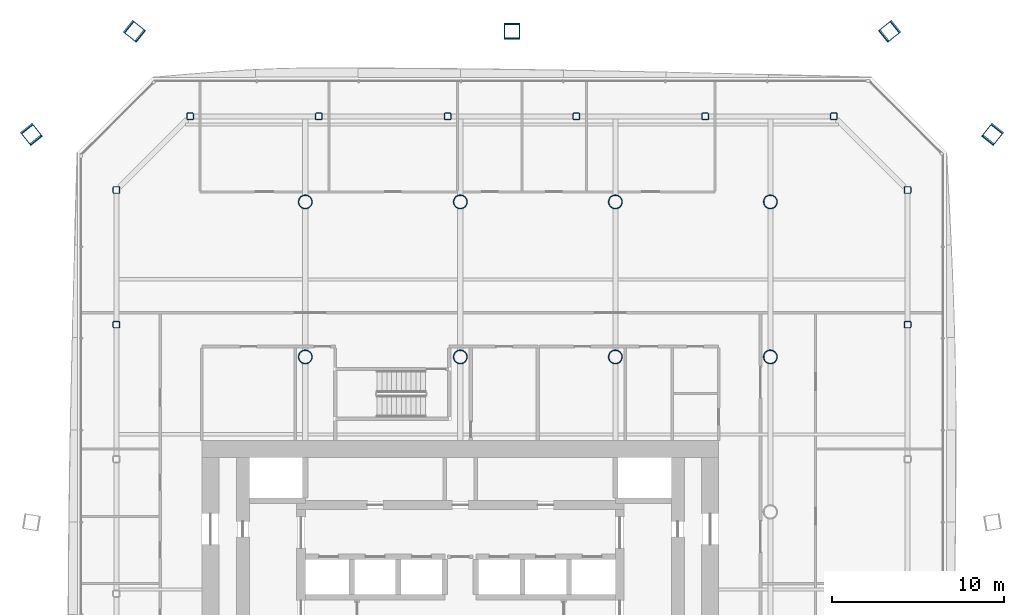
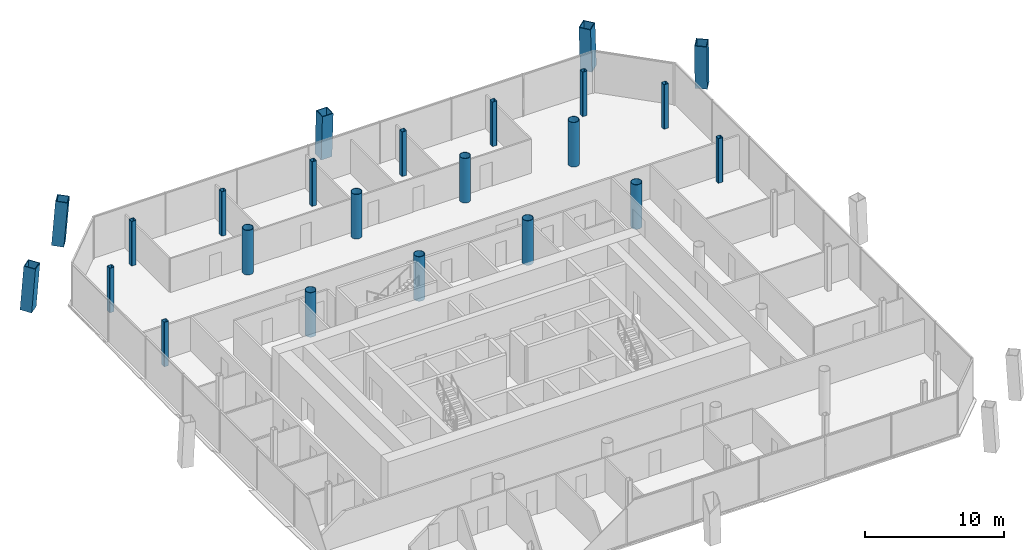
# One storey, part 2 of 19: 23 columns.
"""IFC4 building model written with IfcOpenShell, lengths in metres."""

from ifc_helpers import new_model, si_unit, direction, frame, origin, origin_2d, place, context, subcontext, project, spatial, hollow_rectangle, hollow_circle, extrude, material, material_profile, profile_set, type_object, element, save


model = new_model("IFC4")

# Units and contexts
model_context = context("Model", 3, precision=1e-05, world=origin(), true_north=direction((0.0, 1.0)))
body_context = subcontext(model_context, "Body", "Model", "MODEL_VIEW")
ifc_project = project(units=[si_unit("LENGTHUNIT", "METRE"), si_unit("AREAUNIT", "SQUARE_METRE"), si_unit("VOLUMEUNIT", "CUBIC_METRE"), si_unit("PLANEANGLEUNIT", "RADIAN"), si_unit("MASSUNIT", "GRAM", prefix="KILO")], contexts=[model_context])

# Site, building, storey
site_placement = place(None, origin())
site = spatial("IfcSite", under=ifc_project, at=site_placement, CompositionType="ELEMENT")
building_placement = place(site_placement, origin())
building = spatial("IfcBuilding", under=site, at=building_placement, Name="Tskaro Facet Tower", CompositionType="ELEMENT")
storey_placement = place(building_placement, frame((0.0, 0.0, 77.699951171875)))
storey = spatial("IfcBuildingStorey", under=building, at=storey_placement, Name="L18", CompositionType="ELEMENT", Elevation=77.699951171875)

# Columns
ifc_material_1 = material(Name="Steel S460M", Category="steel")
ifc_material_profile_1 = material_profile(ifc_material_1, hollow_rectangle(XDim=0.89990234375, YDim=0.89990234375, WallThickness=0.054931640625, at=origin_2d()), Name="BOX 900x900x55")
ifc_profile_set_1 = profile_set([ifc_material_profile_1], Name="Steel S460M")
column_type_1 = type_object("IfcColumnType", Name="BOX 900x900x55 mega column", PredefinedType="COLUMN", material=ifc_profile_set_1)
for number, where, z_axis, x_axis, name in (
    (1, (30.927978515625, 21.952880859375, 0.0), (-0.046506336546, -0.057992465304, 0.997233189695), (0.78013092104, -0.625616292976, 0.0), "BOX 900x900x55 MC06/2"),
    (2, (24.952880859375, 27.927978515625, 0.0), (-0.057992465304, -0.046506336546, 0.997233189695), (0.625616292976, -0.78013092104, 0.0), "BOX 900x900x55 MC07/2"),
):
    element("IfcColumn", number, at=place(storey_placement, frame(where, z_axis=z_axis, x_axis=x_axis)), inside=storey, type_object=column_type_1, Name=name, PredefinedType="COLUMN", context=body_context, shape_type="SweptSolid", body=[
        extrude(hollow_rectangle(XDim=0.89990234375, YDim=0.89990234375, WallThickness=0.054931640625, at=origin_2d()), origin(), (0.0, 0.0, 1.0), 3.910888671875),
    ])
column_placement = place(storey_placement, frame((3.0, 27.927978515625, 0.0), z_axis=(0.0, -0.046584737692, 0.99891434178), x_axis=(1.0, 0.0, 0.0)))
element("IfcColumn", 3, at=column_placement, inside=storey, type_object=column_type_1, Name="BOX 900x900x55 MC08/2", PredefinedType="COLUMN", context=body_context, shape_type="SweptSolid", body=[
    extrude(hollow_rectangle(XDim=0.89990234375, YDim=0.89990234375, WallThickness=0.054931640625, at=origin_2d()), origin(), (0.0, 0.0, 1.0), 3.904296875),
])
for number, where, z_axis, x_axis, name in (
    (4, (-18.952880859375, 27.927978515625, 0.0), (0.057992465304, -0.046506336546, 0.997233189695), (0.625616292976, 0.78013092104, 0.0), "BOX 900x900x55 MC09/2"),
    (5, (-24.927978515625, 21.952880859375, 0.0), (0.046506336546, -0.057992465304, 0.997233189695), (0.78013092104, 0.625616292976, 0.0), "BOX 900x900x55 MC10/2"),
):
    element("IfcColumn", number, at=place(storey_placement, frame(where, z_axis=z_axis, x_axis=x_axis)), inside=storey, type_object=column_type_1, Name=name, PredefinedType="COLUMN", context=body_context, shape_type="SweptSolid", body=[
        extrude(hollow_rectangle(XDim=0.89990234375, YDim=0.89990234375, WallThickness=0.054931640625, at=origin_2d()), origin(), (0.0, 0.0, 1.0), 3.910888671875),
    ])
ifc_material_2 = material(Name="Steel S355J2H", Category="steel")
ifc_material_profile_2 = material_profile(ifc_material_2, hollow_circle(Radius=0.406494140625, WallThickness=0.035888671875, at=origin_2d()), Name="CHS 812.8x36")
ifc_profile_set_2 = profile_set([ifc_material_profile_2], Name="Steel S355J2H")
column_type_2 = type_object("IfcColumnType", Name="CHS 812.8x36 interior column", PredefinedType="COLUMN", material=ifc_profile_set_2)
for number, where, z_axis, x_axis, name in (
    (6, (-9.0, 9.0, 0.0), (0.0, 0.0, 1.0), (1.0, 0.0, 0.0), "CHS 812.8x36 C3E/2"),
    (7, (-9.0, 18.0, 0.0), (0.0, 0.0, 1.0), (1.0, 0.0, 0.0), "CHS 812.8x36 C3F/2"),
    (8, (0.0, 9.0, 0.0), (0.0, 0.0, 1.0), (1.0, 0.0, 0.0), "CHS 812.8x36 C4E/2"),
    (9, (0.0, 18.0, 0.0), (0.0, 0.0, 1.0), (1.0, 0.0, 0.0), "CHS 812.8x36 C4F/2"),
    (10, (9.0, 9.0, 0.0), (0.0, 0.0, 1.0), (1.0, 0.0, 0.0), "CHS 812.8x36 C5E/2"),
    (11, (9.0, 18.0, 0.0), (0.0, 0.0, 1.0), (1.0, 0.0, 0.0), "CHS 812.8x36 C5F/2"),
    (12, (18.0, 9.0, 0.0), (0.0, 0.0, 1.0), (1.0, 0.0, 0.0), "CHS 812.8x36 C6E/2"),
    (13, (18.0, 18.0, 0.0), (0.0, 0.0, 1.0), (1.0, 0.0, 0.0), "CHS 812.8x36 C6F/2"),
):
    element("IfcColumn", number, at=place(storey_placement, frame(where, z_axis=z_axis, x_axis=x_axis)), inside=storey, type_object=column_type_2, Name=name, PredefinedType="COLUMN", context=body_context, shape_type="SweptSolid", body=[
        extrude(hollow_circle(Radius=0.406494140625, WallThickness=0.035888671875, at=origin_2d()), origin(), (0.0, 0.0, 1.0), 3.900146484375),
    ])
ifc_material_profile_3 = material_profile(ifc_material_2, hollow_rectangle(XDim=0.39990234375, YDim=0.39990234375, WallThickness=0.02490234375, InnerFilletRadius=0.03759765625, OuterFilletRadius=0.0625, at=origin_2d()), Name="SHS 400x400x25")
ifc_profile_set_3 = profile_set([ifc_material_profile_3], Name="Steel S355J2H")
column_type_3 = type_object("IfcColumnType", Name="SHS 400x400x25 ring column", PredefinedType="COLUMN", material=ifc_profile_set_3)
for number, where, z_axis, x_axis, name in (
    (14, (25.965087890625, 10.87890625, 0.0), (0.0, 0.0, 1.0), (1.0, 0.0, 0.0), "SHS 400x400x25 RE-5/2"),
    (15, (25.965087890625, 18.68994140625, 0.0), (0.0, 0.0, 1.0), (1.0, 0.0, 0.0), "SHS 400x400x25 RNE-1/2"),
    (16, (21.68994140625, 22.965087890625, 0.0), (0.0, 0.0, 1.0), (1.0, 0.0, 0.0), "SHS 400x400x25 RN-1/2"),
    (17, (14.214111328125, 22.965087890625, 0.0), (0.0, 0.0, 1.0), (1.0, 0.0, 0.0), "SHS 400x400x25 RN-2/2"),
    (18, (6.738037109375, 22.965087890625, 0.0), (0.0, 0.0, 1.0), (1.0, 0.0, 0.0), "SHS 400x400x25 RN-3/2"),
    (19, (-0.738037109375, 22.965087890625, 0.0), (0.0, 0.0, 1.0), (1.0, 0.0, 0.0), "SHS 400x400x25 RN-4/2"),
    (20, (-8.214111328125, 22.965087890625, 0.0), (0.0, 0.0, 1.0), (1.0, 0.0, 0.0), "SHS 400x400x25 RN-5/2"),
    (21, (-15.68994140625, 22.965087890625, 0.0), (0.0, 0.0, 1.0), (1.0, 0.0, 0.0), "SHS 400x400x25 RNW-1/2"),
    (22, (-19.965087890625, 18.68994140625, 0.0), (0.0, 0.0, 1.0), (1.0, 0.0, 0.0), "SHS 400x400x25 RW-1/2"),
    (23, (-19.965087890625, 10.87890625, 0.0), (0.0, 0.0, 1.0), (1.0, 0.0, 0.0), "SHS 400x400x25 RW-2/2"),
):
    element("IfcColumn", number, at=place(storey_placement, frame(where, z_axis=z_axis, x_axis=x_axis)), inside=storey, type_object=column_type_3, Name=name, PredefinedType="COLUMN", context=body_context, shape_type="SweptSolid", body=[
        extrude(hollow_rectangle(XDim=0.39990234375, YDim=0.39990234375, WallThickness=0.02490234375, InnerFilletRadius=0.03759765625, OuterFilletRadius=0.0625, at=origin_2d()), origin(), (0.0, 0.0, 1.0), 3.900146484375),
    ])

save(model, "model.ifc")
